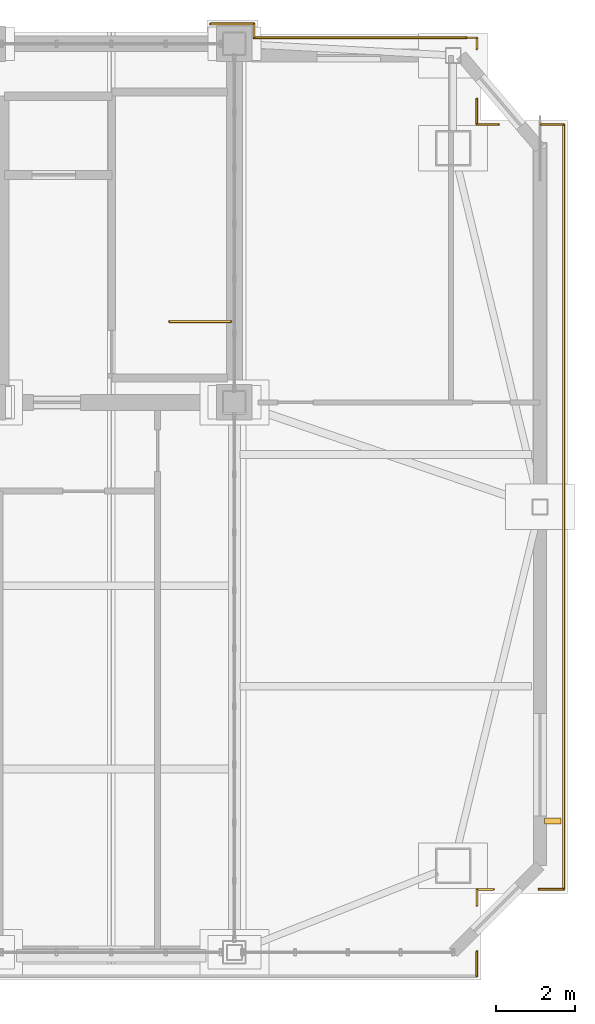
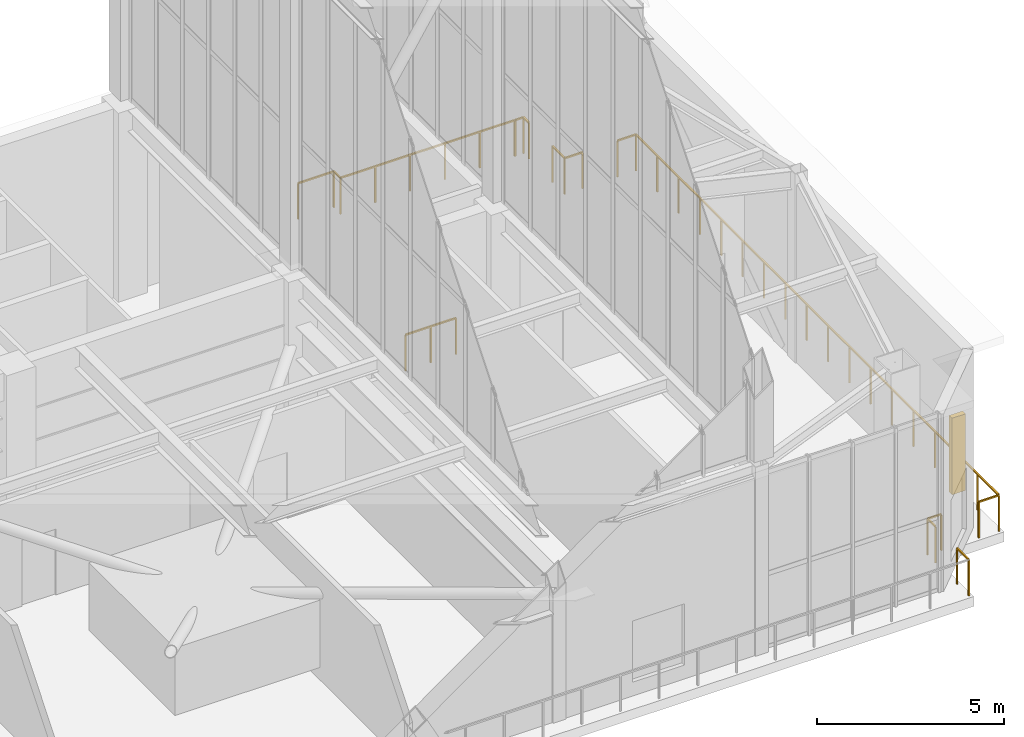
# One storey, part 135 of 135: 14 railings, 1 shading device.
"""IFC4 building model written with IfcOpenShell, lengths in metres."""

from ifc_helpers import new_model, si_unit, direction, frame, origin, origin_2d, place, context, subcontext, project, spatial, rectangle, extrude, source, transform, mapped, material, type_object, element, save


model = new_model("IFC4")

# Units and contexts
model_context = context("Model", 3, precision=1e-05, world=origin(), true_north=direction((0.0, 1.0)))
body_context = subcontext(model_context, "Body", "Model", "MODEL_VIEW")
ifc_project = project(units=[si_unit("LENGTHUNIT", "METRE"), si_unit("AREAUNIT", "SQUARE_METRE"), si_unit("VOLUMEUNIT", "CUBIC_METRE"), si_unit("PLANEANGLEUNIT", "RADIAN"), si_unit("MASSUNIT", "GRAM", prefix="KILO")], contexts=[model_context])

# Site, building, storey
site_placement = place(None, origin())
site = spatial("IfcSite", under=ifc_project, at=site_placement, CompositionType="ELEMENT")
building_placement = place(site_placement, origin())
building = spatial("IfcBuilding", under=site, at=building_placement, Name="Giltprow Tower", CompositionType="ELEMENT")
storey_placement = place(building_placement, frame((0.0, 0.0, 352.699951171875)))
storey = spatial("IfcBuildingStorey", under=building, at=storey_placement, Name="L92", CompositionType="ELEMENT", Elevation=352.699951171875)

# Railings
ifc_material = material(Name="Anodized bronze", Category="metal")
railing_type_1 = type_object("IfcRailingType", Name="RAIL-BALC-GUARD-1200", PredefinedType="BALUSTRADE", material=ifc_material)
railing_1_placement = place(storey_placement, frame((58.89990234375, 44.5, 0.0)))
element("IfcRailing", 1, at=railing_1_placement, inside=storey, type_object=railing_type_1, Name="L92 Corner Apron Edge Balustrade 1", PredefinedType="BALUSTRADE", context=body_context, shape_type="SweptSolid", body=[
    extrude(rectangle(XDim=0.048095703125, YDim=0.048095703125, at=origin_2d()), frame((0.0, 0.0, 1.17578125), z_axis=(0.0, -1.0, 0.0), x_axis=(1.0, 0.0, 0.0)), (0.0, 0.0, 1.0), 19.39990234375),
    extrude(rectangle(XDim=0.0419921875, YDim=0.0419921875, at=origin_2d()), origin(), (0.0, 0.0, 1.0), 1.15185546875),
    extrude(rectangle(XDim=0.0419921875, YDim=0.0419921875, at=origin_2d()), frame((0.0, -1.14111328125, 0.0)), (0.0, 0.0, 1.0), 1.15185546875),
    extrude(rectangle(XDim=0.0419921875, YDim=0.0419921875, at=origin_2d()), frame((0.0, -2.2822265625, 0.0)), (0.0, 0.0, 1.0), 1.15185546875),
    extrude(rectangle(XDim=0.0419921875, YDim=0.0419921875, at=origin_2d()), frame((0.0, -3.423583984375, 0.0)), (0.0, 0.0, 1.0), 1.15185546875),
    extrude(rectangle(XDim=0.0419921875, YDim=0.0419921875, at=origin_2d()), frame((0.0, -4.564697265625, 0.0)), (0.0, 0.0, 1.0), 1.15185546875),
    extrude(rectangle(XDim=0.0419921875, YDim=0.0419921875, at=origin_2d()), frame((0.0, -5.705810546875, 0.0)), (0.0, 0.0, 1.0), 1.15185546875),
    extrude(rectangle(XDim=0.0419921875, YDim=0.0419921875, at=origin_2d()), frame((0.0, -6.846923828125, 0.0)), (0.0, 0.0, 1.0), 1.15185546875),
    extrude(rectangle(XDim=0.0419921875, YDim=0.0419921875, at=origin_2d()), frame((0.0, -7.98828125, 0.0)), (0.0, 0.0, 1.0), 1.15185546875),
    extrude(rectangle(XDim=0.0419921875, YDim=0.0419921875, at=origin_2d()), frame((0.0, -9.12939453125, 0.0)), (0.0, 0.0, 1.0), 1.15185546875),
    extrude(rectangle(XDim=0.0419921875, YDim=0.0419921875, at=origin_2d()), frame((0.0, -10.2705078125, 0.0)), (0.0, 0.0, 1.0), 1.15185546875),
    extrude(rectangle(XDim=0.0419921875, YDim=0.0419921875, at=origin_2d()), frame((0.0, -11.41162109375, 0.0)), (0.0, 0.0, 1.0), 1.15185546875),
    extrude(rectangle(XDim=0.0419921875, YDim=0.0419921875, at=origin_2d()), frame((0.0, -12.552978515625, 0.0)), (0.0, 0.0, 1.0), 1.15185546875),
    extrude(rectangle(XDim=0.0419921875, YDim=0.0419921875, at=origin_2d()), frame((0.0, -13.694091796875, 0.0)), (0.0, 0.0, 1.0), 1.15185546875),
    extrude(rectangle(XDim=0.0419921875, YDim=0.0419921875, at=origin_2d()), frame((0.0, -14.835205078125, 0.0)), (0.0, 0.0, 1.0), 1.15185546875),
    extrude(rectangle(XDim=0.0419921875, YDim=0.0419921875, at=origin_2d()), frame((0.0, -15.976318359375, 0.0)), (0.0, 0.0, 1.0), 1.15185546875),
    extrude(rectangle(XDim=0.0419921875, YDim=0.0419921875, at=origin_2d()), frame((0.0, -17.11767578125, 0.0)), (0.0, 0.0, 1.0), 1.15185546875),
    extrude(rectangle(XDim=0.0419921875, YDim=0.0419921875, at=origin_2d()), frame((0.0, -18.2587890625, 0.0)), (0.0, 0.0, 1.0), 1.15185546875),
    extrude(rectangle(XDim=0.0419921875, YDim=0.0419921875, at=origin_2d()), frame((0.0, -19.39990234375, 0.0)), (0.0, 0.0, 1.0), 1.15185546875),
])
railing_2_placement = place(storey_placement, frame((58.89990234375, 25.10009765625, 0.0)))
element("IfcRailing", 2, at=railing_2_placement, inside=storey, type_object=railing_type_1, Name="L92 Corner Apron Edge Balustrade 2", PredefinedType="BALUSTRADE", context=body_context, shape_type="SweptSolid", body=[
    extrude(rectangle(XDim=0.048095703125, YDim=0.048095703125, at=origin_2d()), frame((0.0, 0.0, 1.17578125), z_axis=(-1.0, 0.0, 0.0), x_axis=(0.0, -1.0, 0.0)), (0.0, 0.0, 1.0), 0.619873046875),
    extrude(rectangle(XDim=0.0419921875, YDim=0.0419921875, at=origin_2d()), origin(), (0.0, 0.0, 1.0), 1.15185546875),
    extrude(rectangle(XDim=0.0419921875, YDim=0.0419921875, at=origin_2d()), frame((-0.619873046875, 0.0, 0.0)), (0.0, 0.0, 1.0), 1.15185546875),
])
railing_3_placement = place(storey_placement, frame((57.1201171875, 25.10009765625, 0.0)))
element("IfcRailing", 3, at=railing_3_placement, inside=storey, type_object=railing_type_1, Name="L92 Corner Apron Edge Balustrade 3", PredefinedType="BALUSTRADE", context=body_context, shape_type="SweptSolid", body=[
    extrude(rectangle(XDim=0.048095703125, YDim=0.048095703125, at=origin_2d()), frame((0.0, 0.0, 1.17578125), z_axis=(-1.0, 0.0, 0.0), x_axis=(0.0, -1.0, 0.0)), (0.0, 0.0, 1.0), 0.420166015625),
    extrude(rectangle(XDim=0.0419921875, YDim=0.0419921875, at=origin_2d()), origin(), (0.0, 0.0, 1.0), 1.15185546875),
    extrude(rectangle(XDim=0.0419921875, YDim=0.0419921875, at=origin_2d()), frame((-0.420166015625, 0.0, 0.0)), (0.0, 0.0, 1.0), 1.15185546875),
])
railing_4_placement = place(storey_placement, frame((56.699951171875, 25.10009765625, 0.0)))
element("IfcRailing", 4, at=railing_4_placement, inside=storey, type_object=railing_type_1, Name="L92 Corner Apron Edge Balustrade 4", PredefinedType="BALUSTRADE", context=body_context, shape_type="SweptSolid", body=[
    extrude(rectangle(XDim=0.048095703125, YDim=0.048095703125, at=origin_2d()), frame((0.0, 0.0, 1.17578125), z_axis=(0.0, -1.0, 0.0), x_axis=(1.0, 0.0, 0.0)), (0.0, 0.0, 1.0), 0.420166015625),
    extrude(rectangle(XDim=0.0419921875, YDim=0.0419921875, at=origin_2d()), origin(), (0.0, 0.0, 1.0), 1.15185546875),
    extrude(rectangle(XDim=0.0419921875, YDim=0.0419921875, at=origin_2d()), frame((0.0, -0.420166015625, 0.0)), (0.0, 0.0, 1.0), 1.15185546875),
])
railing_5_placement = place(storey_placement, frame((56.699951171875, 23.52001953125, 0.0)))
element("IfcRailing", 5, at=railing_5_placement, inside=storey, type_object=railing_type_1, Name="L92 Corner Apron Edge Balustrade 5", PredefinedType="BALUSTRADE", context=body_context, shape_type="SweptSolid", body=[
    extrude(rectangle(XDim=0.048095703125, YDim=0.048095703125, at=origin_2d()), frame((0.0, 0.0, 1.17578125), z_axis=(0.0, -1.0, 0.0), x_axis=(1.0, 0.0, 0.0)), (0.0, 0.0, 1.0), 0.6201171875),
    extrude(rectangle(XDim=0.0419921875, YDim=0.0419921875, at=origin_2d()), origin(), (0.0, 0.0, 1.0), 1.15185546875),
    extrude(rectangle(XDim=0.0419921875, YDim=0.0419921875, at=origin_2d()), frame((0.0, -0.6201171875, 0.0)), (0.0, 0.0, 1.0), 1.15185546875),
])
railing_6_placement = place(storey_placement, frame((49.949951171875, 47.050048828125, 0.0)))
element("IfcRailing", 6, at=railing_6_placement, inside=storey, type_object=railing_type_1, Name="L92 Corner Apron Edge Balustrade 20", PredefinedType="BALUSTRADE", context=body_context, shape_type="SweptSolid", body=[
    extrude(rectangle(XDim=0.048095703125, YDim=0.048095703125, at=origin_2d()), frame((0.0, 0.0, 1.17578125), z_axis=(1.0, 0.0, 0.0), x_axis=(0.0, 1.0, 0.0)), (0.0, 0.0, 1.0), 1.10009765625),
    extrude(rectangle(XDim=0.0419921875, YDim=0.0419921875, at=origin_2d()), origin(), (0.0, 0.0, 1.0), 1.15185546875),
    extrude(rectangle(XDim=0.0419921875, YDim=0.0419921875, at=origin_2d()), frame((1.10009765625, 0.0, 0.0)), (0.0, 0.0, 1.0), 1.15185546875),
])
railing_7_placement = place(storey_placement, frame((51.050048828125, 47.050048828125, 0.0)))
element("IfcRailing", 7, at=railing_7_placement, inside=storey, type_object=railing_type_1, Name="L92 Corner Apron Edge Balustrade 21", PredefinedType="BALUSTRADE", context=body_context, shape_type="SweptSolid", body=[
    extrude(rectangle(XDim=0.048095703125, YDim=0.048095703125, at=origin_2d()), frame((0.0, 0.0, 1.17578125), z_axis=(0.0, -1.0, 0.0), x_axis=(1.0, 0.0, 0.0)), (0.0, 0.0, 1.0), 0.35009765625),
    extrude(rectangle(XDim=0.0419921875, YDim=0.0419921875, at=origin_2d()), origin(), (0.0, 0.0, 1.0), 1.15185546875),
    extrude(rectangle(XDim=0.0419921875, YDim=0.0419921875, at=origin_2d()), frame((0.0, -0.35009765625, 0.0)), (0.0, 0.0, 1.0), 1.15185546875),
])
railing_8_placement = place(storey_placement, frame((51.050048828125, 46.699951171875, 0.0)))
element("IfcRailing", 8, at=railing_8_placement, inside=storey, type_object=railing_type_1, Name="L92 Corner Apron Edge Balustrade 22", PredefinedType="BALUSTRADE", context=body_context, shape_type="SweptSolid", body=[
    extrude(rectangle(XDim=0.048095703125, YDim=0.048095703125, at=origin_2d()), frame((0.0, 0.0, 1.17578125), z_axis=(1.0, 0.0, 0.0), x_axis=(0.0, 1.0, 0.0)), (0.0, 0.0, 1.0), 5.3779296875),
    extrude(rectangle(XDim=0.0419921875, YDim=0.0419921875, at=origin_2d()), origin(), (0.0, 0.0, 1.0), 1.15185546875),
    extrude(rectangle(XDim=0.0419921875, YDim=0.0419921875, at=origin_2d()), frame((1.07568359375, 0.0, 0.0)), (0.0, 0.0, 1.0), 1.15185546875),
    extrude(rectangle(XDim=0.0419921875, YDim=0.0419921875, at=origin_2d()), frame((2.151123046875, 0.0, 0.0)), (0.0, 0.0, 1.0), 1.15185546875),
    extrude(rectangle(XDim=0.0419921875, YDim=0.0419921875, at=origin_2d()), frame((3.226806640625, 0.0, 0.0)), (0.0, 0.0, 1.0), 1.15185546875),
    extrude(rectangle(XDim=0.0419921875, YDim=0.0419921875, at=origin_2d()), frame((4.30224609375, 0.0, 0.0)), (0.0, 0.0, 1.0), 1.15185546875),
    extrude(rectangle(XDim=0.0419921875, YDim=0.0419921875, at=origin_2d()), frame((5.3779296875, 0.0, 0.0)), (0.0, 0.0, 1.0), 1.15185546875),
])
railing_9_placement = place(storey_placement, frame((56.455078125, 46.699951171875, 0.0)))
element("IfcRailing", 9, at=railing_9_placement, inside=storey, type_object=railing_type_1, Name="L92 Corner Apron Edge Balustrade 23", PredefinedType="BALUSTRADE", context=body_context, shape_type="SweptSolid", body=[
    extrude(rectangle(XDim=0.048095703125, YDim=0.048095703125, at=origin_2d()), frame((0.0, 0.0, 1.17578125), z_axis=(1.0, 0.0, 0.0), x_axis=(0.0, 1.0, 0.0)), (0.0, 0.0, 1.0), 0.244873046875),
    extrude(rectangle(XDim=0.0419921875, YDim=0.0419921875, at=origin_2d()), origin(), (0.0, 0.0, 1.0), 1.15185546875),
    extrude(rectangle(XDim=0.0419921875, YDim=0.0419921875, at=origin_2d()), frame((0.244873046875, 0.0, 0.0)), (0.0, 0.0, 1.0), 1.15185546875),
])
railing_10_placement = place(storey_placement, frame((56.699951171875, 46.699951171875, 0.0)))
element("IfcRailing", 10, at=railing_10_placement, inside=storey, type_object=railing_type_1, Name="L92 Corner Apron Edge Balustrade 24", PredefinedType="BALUSTRADE", context=body_context, shape_type="SweptSolid", body=[
    extrude(rectangle(XDim=0.048095703125, YDim=0.048095703125, at=origin_2d()), frame((0.0, 0.0, 1.17578125), z_axis=(0.0, -1.0, 0.0), x_axis=(1.0, 0.0, 0.0)), (0.0, 0.0, 1.0), 0.286865234375),
    extrude(rectangle(XDim=0.0419921875, YDim=0.0419921875, at=origin_2d()), origin(), (0.0, 0.0, 1.0), 1.15185546875),
    extrude(rectangle(XDim=0.0419921875, YDim=0.0419921875, at=origin_2d()), frame((0.0, -0.286865234375, 0.0)), (0.0, 0.0, 1.0), 1.15185546875),
])
railing_11_placement = place(storey_placement, frame((56.699951171875, 45.14697265625, 0.0)))
element("IfcRailing", 11, at=railing_11_placement, inside=storey, type_object=railing_type_1, Name="L92 Corner Apron Edge Balustrade 25", PredefinedType="BALUSTRADE", context=body_context, shape_type="SweptSolid", body=[
    extrude(rectangle(XDim=0.048095703125, YDim=0.048095703125, at=origin_2d()), frame((0.0, 0.0, 1.17578125), z_axis=(0.0, -1.0, 0.0), x_axis=(1.0, 0.0, 0.0)), (0.0, 0.0, 1.0), 0.64697265625),
    extrude(rectangle(XDim=0.0419921875, YDim=0.0419921875, at=origin_2d()), origin(), (0.0, 0.0, 1.0), 1.15185546875),
    extrude(rectangle(XDim=0.0419921875, YDim=0.0419921875, at=origin_2d()), frame((0.0, -0.64697265625, 0.0)), (0.0, 0.0, 1.0), 1.15185546875),
])
railing_12_placement = place(storey_placement, frame((56.699951171875, 44.5, 0.0)))
element("IfcRailing", 12, at=railing_12_placement, inside=storey, type_object=railing_type_1, Name="L92 Corner Apron Edge Balustrade 26", PredefinedType="BALUSTRADE", context=body_context, shape_type="SweptSolid", body=[
    extrude(rectangle(XDim=0.048095703125, YDim=0.048095703125, at=origin_2d()), frame((0.0, 0.0, 1.17578125), z_axis=(1.0, 0.0, 0.0), x_axis=(0.0, 1.0, 0.0)), (0.0, 0.0, 1.0), 0.551025390625),
    extrude(rectangle(XDim=0.0419921875, YDim=0.0419921875, at=origin_2d()), origin(), (0.0, 0.0, 1.0), 1.15185546875),
    extrude(rectangle(XDim=0.0419921875, YDim=0.0419921875, at=origin_2d()), frame((0.551025390625, 0.0, 0.0)), (0.0, 0.0, 1.0), 1.15185546875),
])
railing_13_placement = place(storey_placement, frame((58.327880859375, 44.5, 0.0)))
element("IfcRailing", 13, at=railing_13_placement, inside=storey, type_object=railing_type_1, Name="L92 Corner Apron Edge Balustrade 27", PredefinedType="BALUSTRADE", context=body_context, shape_type="SweptSolid", body=[
    extrude(rectangle(XDim=0.048095703125, YDim=0.048095703125, at=origin_2d()), frame((0.0, 0.0, 1.17578125), z_axis=(1.0, 0.0, 0.0), x_axis=(0.0, 1.0, 0.0)), (0.0, 0.0, 1.0), 0.572021484375),
    extrude(rectangle(XDim=0.0419921875, YDim=0.0419921875, at=origin_2d()), origin(), (0.0, 0.0, 1.0), 1.15185546875),
    extrude(rectangle(XDim=0.0419921875, YDim=0.0419921875, at=origin_2d()), frame((0.572021484375, 0.0, 0.0)), (0.0, 0.0, 1.0), 1.15185546875),
])
railing_type_2 = type_object("IfcRailingType", Name="RAIL-STAIR-GUARD-1200", PredefinedType="GUARDRAIL", material=ifc_material)
railing_14_placement = place(storey_placement, frame((50.4599609375, 39.5, 0.0)))
element("IfcRailing", 14, at=railing_14_placement, inside=storey, type_object=railing_type_2, Name="L92 ST-3 top well guard 1", PredefinedType="GUARDRAIL", context=body_context, shape_type="SweptSolid", body=[
    extrude(rectangle(XDim=0.048095703125, YDim=0.048095703125, at=origin_2d()), frame((0.0, 0.0, 1.17578125), z_axis=(-1.0, 0.0, 0.0), x_axis=(0.0, -1.0, 0.0)), (0.0, 0.0, 1.0), 1.56005859375),
    extrude(rectangle(XDim=0.0419921875, YDim=0.0419921875, at=origin_2d()), origin(), (0.0, 0.0, 1.0), 1.15185546875),
    extrude(rectangle(XDim=0.0419921875, YDim=0.0419921875, at=origin_2d()), frame((-0.780029296875, 0.0, 0.0)), (0.0, 0.0, 1.0), 1.15185546875),
    extrude(rectangle(XDim=0.0419921875, YDim=0.0419921875, at=origin_2d()), frame((-1.56005859375, 0.0, 0.0)), (0.0, 0.0, 1.0), 1.15185546875),
])

# Shading device
shading_device_type = type_object("IfcShadingDeviceType", Name="SHD-FIN-420", PredefinedType="USERDEFINED", material=ifc_material)
shared_shape = source(origin(), body_context, "Body", "SweptSolid", [
    extrude(rectangle(XDim=0.419921875, YDim=0.159912109375, at=origin_2d()), origin(), (0.0, 0.0, 1.0), 2.5),
])
shading_device_placement = place(storey_placement, frame((58.6201171875, 26.833984375, 0.35009765625), z_axis=(0.0, 0.0, 1.0), x_axis=(1.0, 0.0, 0.0)))
element("IfcShadingDevice", 15, at=shading_device_placement, inside=storey, type_object=shading_device_type, Name="L92 E Bronze Vertical Fin 1-1", ObjectType="FIN", PredefinedType="USERDEFINED", context=body_context, shape_type="MappedRepresentation", body=[
    mapped(shared_shape, transform((0.0, 0.0, 0.0), x_axis=(1.0, 0.0, 0.0), y_axis=(0.0, 1.0, 0.0), z_axis=(0.0, 0.0, 1.0), scale=1.0)),
])

save(model, "model.ifc")
